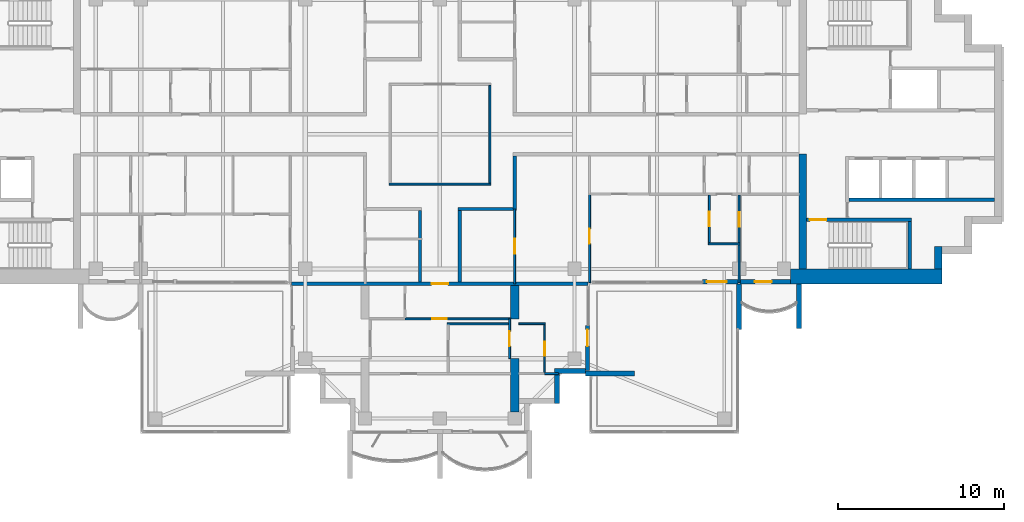
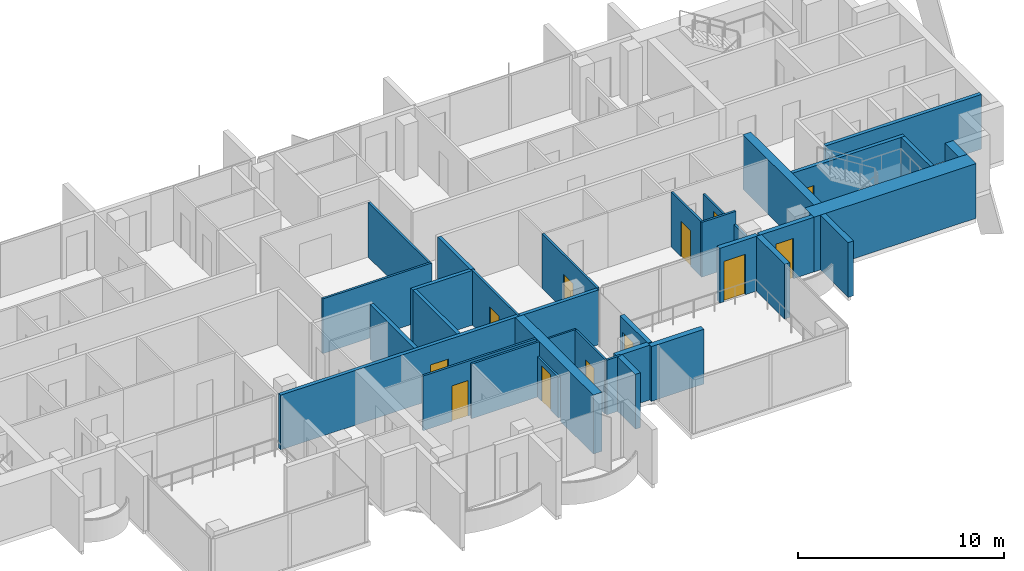
# One storey, part 9 of 16: 33 walls, 12 doors, 12 openings.
"""IFC4 building model written with IfcOpenShell, lengths in metres."""

from ifc_helpers import new_model, si_unit, direction, frame, frame_2d, origin, place, context, subcontext, project, spatial, polyline, rectangle, outline, extrude, material, layer, layer_set, material_profile, profile_set, type_object, element, fill, save


model = new_model("IFC4")

# Units and contexts
model_context = context("Model", 3, precision=1e-05, world=origin(), true_north=direction((0.0, 1.0)))
body_context = subcontext(model_context, "Body", "Model", "MODEL_VIEW")
ifc_project = project(units=[si_unit("LENGTHUNIT", "METRE"), si_unit("AREAUNIT", "SQUARE_METRE"), si_unit("VOLUMEUNIT", "CUBIC_METRE"), si_unit("PLANEANGLEUNIT", "RADIAN"), si_unit("MASSUNIT", "GRAM", prefix="KILO")], contexts=[model_context])

# Site, building, storey
site_placement = place(None, origin())
site = spatial("IfcSite", under=ifc_project, at=site_placement, CompositionType="ELEMENT")
building_placement = place(site_placement, origin())
building = spatial("IfcBuilding", under=site, at=building_placement, Name="Perihelion Cross Residences", CompositionType="ELEMENT")
storey_placement = place(building_placement, frame((0.0, 0.0, 253.5)))
storey = spatial("IfcBuildingStorey", under=building, at=storey_placement, Name="L64", CompositionType="ELEMENT", Elevation=253.5)

# Walls
ifc_material_1 = material(Name="Plasterboard partition")
ifc_layer_1 = layer(ifc_material_1, 0.199951171875)
ifc_layer_set_1 = layer_set([ifc_layer_1], Name="Apartment separation wall 200")
wall_type_1 = type_object("IfcWallType", Name="Apartment separation wall 200", PredefinedType="PARTITIONING", material=ifc_layer_set_1)
wall_1_placement = place(storey_placement, frame((4.5, -1.300048828125, 0.0), z_axis=(0.0, 0.0, 1.0), x_axis=(0.0, -1.0, 0.0)))
element("IfcWall", 1, at=wall_1_placement, inside=storey, type_object=wall_type_1, Name="Partition L64 W010", PredefinedType="PARTITIONING", context=body_context, shape_type="SweptSolid", body=[
    extrude(rectangle(XDim=3.199951171875, YDim=0.199951171875, at=frame_2d((1.60009765625, 0.0))), origin(), (0.0, 0.0, 1.0), 3.25),
])
wall_2_placement = place(storey_placement, frame((4.60009765625, -4.5, 0.0), z_axis=(0.0, 0.0, 1.0), x_axis=(-1.0, 0.0, 0.0)))
element("IfcWall", 2, at=wall_2_placement, inside=storey, type_object=wall_type_1, Name="Partition L64 W011", PredefinedType="PARTITIONING", context=body_context, shape_type="SweptSolid", body=[
    extrude(rectangle(XDim=3.5, YDim=0.199951171875, at=frame_2d((1.75, 0.0))), origin(), (0.0, 0.0, 1.0), 3.25),
])
for number, where, z_axis, x_axis, name in (
    (3, (1.199951171875, -4.60009765625, 0.0), (0.0, 0.0, 1.0), (0.0, -1.0, 0.0), "Partition L64 W012"),
    (4, (-1.199951171875, -8.89990234375, 0.0), (0.0, 0.0, 1.0), (0.0, 1.0, 0.0), "Partition L64 W019"),
):
    element("IfcWall", number, at=place(storey_placement, frame(where, z_axis=z_axis, x_axis=x_axis)), inside=storey, type_object=wall_type_1, Name=name, PredefinedType="PARTITIONING", context=body_context, shape_type="SweptSolid", body=[
        extrude(rectangle(XDim=4.2998046875, YDim=0.199951171875, at=frame_2d((2.14990234375, 0.0))), origin(), (0.0, 0.0, 1.0), 3.25),
    ])

# Wall, opening, door
wall_3_placement = place(storey_placement, frame((8.919921875, -9.0, 0.0), z_axis=(0.0, 0.0, 1.0), x_axis=(-1.0, 0.0, 0.0)))
wall_3 = element("IfcWall", 5, at=wall_3_placement, inside=storey, type_object=wall_type_1, Name="Partition L64 W021", PredefinedType="PARTITIONING", context=body_context, shape_type="SweptSolid", body=[
    extrude(rectangle(XDim=17.83984375, YDim=0.199951171875, at=frame_2d((8.919921875, 0.0))), origin(), (0.0, 0.0, 1.0), 3.25),
])
opening_1_placement = place(wall_3_placement, frame((8.419921875, 0.0, 0.0)))
opening_1 = element("IfcOpeningElement", 6, at=opening_1_placement, cuts=wall_3, Name="Opening L64.A34", PredefinedType="OPENING", context=body_context, shape_type="SweptSolid", body=[
    extrude(rectangle(XDim=1.0, YDim=2.10009765625, at=frame_2d((0.5, 1.050048828125))), frame((0.0, 0.10986328125, 0.0), z_axis=(0.0, -1.0, 0.0), x_axis=(1.0, 0.0, 0.0)), (0.0, 0.0, 1.0), 0.219970703125),
])
ifc_material_2 = material(Name="Timber door leaf", Category="wood")
door_type_1 = type_object("IfcDoorType", Name="Flat entrance door 1000 x 2100", OperationType="SINGLE_SWING_LEFT", PredefinedType="DOOR", material=ifc_material_2)
door_1_placement = place(opening_1_placement, origin())
door_1 = element("IfcDoor", 7, at=door_1_placement, inside=storey, type_object=door_type_1, Name="Door L64.A34", OperationType="SINGLE_SWING_RIGHT", OverallHeight=2.10009765625, OverallWidth=1.0, PredefinedType="DOOR", context=body_context, shape_type="SweptSolid", body=[
    extrude(rectangle(XDim=1.0, YDim=2.10009765625, at=frame_2d((0.5, 1.050048828125))), frame((0.0, 0.02490234375, 0.0), z_axis=(0.0, -1.0, 0.0), x_axis=(1.0, 0.0, 0.0)), (0.0, 0.0, 1.0), 0.050048828125),
])
fill(opening_1, door_1)

ifc_material_3 = material(Name="Concrete C30/37, bronze-clad", Category="concrete")
ifc_layer_2 = layer(ifc_material_3, 0.25)
ifc_layer_set_2 = layer_set([ifc_layer_2], Name="Bronze-clad pier wall 250")
wall_type_2 = type_object("IfcWallType", Name="Bronze-clad pier wall 250", PredefinedType="SOLIDWALL", material=ifc_layer_set_2)
wall_4_placement = place(storey_placement, frame((8.875, -14.199951171875, 0.0), z_axis=(0.0, 0.0, 1.0), x_axis=(0.0, 1.0, 0.0)))
wall_4 = element("IfcWall", 8, at=wall_4_placement, inside=storey, type_object=wall_type_2, Name="Wall FW1 L64 south side east bay 1 pier", PredefinedType="SOLIDWALL", context=body_context, shape_type="SweptSolid", body=[
    extrude(rectangle(XDim=2.699951171875, YDim=0.25, at=frame_2d((1.35009765625, 0.0))), origin(), (0.0, 0.0, 1.0), 3.25),
])
opening_2_placement = place(wall_4_placement, frame((1.449951171875, 0.0, 0.0)))
opening_2 = element("IfcOpeningElement", 9, at=opening_2_placement, cuts=wall_4, Name="Opening L64.E12", PredefinedType="OPENING", context=body_context, shape_type="SweptSolid", body=[
    extrude(rectangle(XDim=1.0, YDim=2.39990234375, at=frame_2d((0.5, 1.199951171875))), frame((0.0, 0.135009765625, 0.0), z_axis=(0.0, -1.0, 0.0), x_axis=(1.0, 0.0, 0.0)), (0.0, 0.0, 1.0), 0.27001953125),
])
ifc_material_4 = material(Name="Bronze anodised aluminium, glazed", Category="aluminium")
door_type_2 = type_object("IfcDoorType", Name="Balcony door 1000 x 2400", OperationType="NOTDEFINED", PredefinedType="DOOR", material=ifc_material_4)
door_2_placement = place(opening_2_placement, origin())
door_2 = element("IfcDoor", 10, at=door_2_placement, inside=storey, type_object=door_type_2, Name="Door L64.E12 south side east bay 1", OperationType="SINGLE_SWING_RIGHT", OverallHeight=2.39990234375, OverallWidth=1.0, PredefinedType="DOOR", context=body_context, shape_type="SweptSolid", body=[
    extrude(rectangle(XDim=1.0, YDim=2.39990234375, at=frame_2d((0.5, 1.199951171875))), frame((0.0, 0.02490234375, 0.0), z_axis=(0.0, -1.0, 0.0), x_axis=(1.0, 0.0, 0.0)), (0.0, 0.0, 1.0), 0.050048828125),
])
fill(opening_2, door_2)

wall_5_placement = place(storey_placement, frame((15.800048828125, -8.875, 0.0), z_axis=(0.0, 0.0, 1.0), x_axis=(1.0, 0.0, 0.0)))
wall_5 = element("IfcWall", 11, at=wall_5_placement, inside=storey, type_object=wall_type_2, Name="Wall FW1 L64 east side south bay 1 pier", PredefinedType="SOLIDWALL", context=body_context, shape_type="SweptSolid", body=[
    extrude(rectangle(XDim=2.139892578125, YDim=0.25, at=frame_2d((1.06982421875, 0.0))), origin(), (0.0, 0.0, 1.0), 3.25),
])
opening_3_placement = place(wall_5_placement, frame((0.25, 0.0, 0.0)))
opening_3 = element("IfcOpeningElement", 12, at=opening_3_placement, cuts=wall_5, Name="Opening L64.E13", PredefinedType="OPENING", context=body_context, shape_type="SweptSolid", body=[
    extrude(rectangle(XDim=1.199951171875, YDim=2.39990234375, at=frame_2d((0.60009765625, 1.199951171875))), frame((0.0, 0.135009765625, 0.0), z_axis=(0.0, -1.0, 0.0), x_axis=(1.0, 0.0, 0.0)), (0.0, 0.0, 1.0), 0.27001953125),
])
ifc_material_5 = material(Name="Bronze anodised aluminium, glazed", Category="aluminium")
door_type_3 = type_object("IfcDoorType", Name="Balcony door 1200 x 2400", OperationType="NOTDEFINED", PredefinedType="DOOR", material=ifc_material_5)
door_3_placement = place(opening_3_placement, origin())
door_3 = element("IfcDoor", 13, at=door_3_placement, inside=storey, type_object=door_type_3, Name="Door L64.E13 east side south bay 1", OperationType="SINGLE_SWING_LEFT", OverallHeight=2.39990234375, OverallWidth=1.199951171875, PredefinedType="DOOR", context=body_context, shape_type="SweptSolid", body=[
    extrude(rectangle(XDim=1.199951171875, YDim=2.39990234375, at=frame_2d((0.60009765625, 1.199951171875))), frame((0.0, 0.02490234375, 0.0), z_axis=(0.0, -1.0, 0.0), x_axis=(1.0, 0.0, 0.0)), (0.0, 0.0, 1.0), 0.050048828125),
])
fill(opening_3, door_3)

wall_6_placement = place(storey_placement, frame((18.06005859375, -8.875, 0.0), z_axis=(0.0, 0.0, 1.0), x_axis=(1.0, 0.0, 0.0)))
wall_6 = element("IfcWall", 14, at=wall_6_placement, inside=storey, type_object=wall_type_2, Name="Wall FW1 L64 east side south bay 2 pier", PredefinedType="SOLIDWALL", context=body_context, shape_type="SweptSolid", body=[
    extrude(rectangle(XDim=3.0400390625, YDim=0.25, at=frame_2d((1.52001953125, 0.0))), origin(), (0.0, 0.0, 1.0), 3.25),
])
opening_4_placement = place(wall_6_placement, frame((0.889892578125, 0.0, 0.0)))
opening_4 = element("IfcOpeningElement", 15, at=opening_4_placement, cuts=wall_6, Name="Opening L64.E14", PredefinedType="OPENING", context=body_context, shape_type="SweptSolid", body=[
    extrude(rectangle(XDim=1.0, YDim=2.39990234375, at=frame_2d((0.5, 1.199951171875))), frame((0.0, 0.135009765625, 0.0), z_axis=(0.0, -1.0, 0.0), x_axis=(1.0, 0.0, 0.0)), (0.0, 0.0, 1.0), 0.27001953125),
])
door_4_placement = place(opening_4_placement, origin())
door_4 = element("IfcDoor", 16, at=door_4_placement, inside=storey, type_object=door_type_2, Name="Door L64.E14 east side south bay 2", OperationType="SINGLE_SWING_RIGHT", OverallHeight=2.39990234375, OverallWidth=1.0, PredefinedType="DOOR", context=body_context, shape_type="SweptSolid", body=[
    extrude(rectangle(XDim=1.0, YDim=2.39990234375, at=frame_2d((0.5, 1.199951171875))), frame((0.0, 0.02490234375, 0.0), z_axis=(0.0, -1.0, 0.0), x_axis=(1.0, 0.0, 0.0)), (0.0, 0.0, 1.0), 0.050048828125),
])
fill(opening_4, door_4)

# Walls
ifc_material_6 = material(Name="Concrete C30/37, bronze-clad", Category="concrete")
ifc_layer_3 = layer(ifc_material_6, 0.300048828125)
ifc_layer_set_3 = layer_set([ifc_layer_3], Name="Bronze-clad serration wall 300")
wall_type_3 = type_object("IfcWallType", Name="Bronze-clad serration wall 300", PredefinedType="SOLIDWALL", material=ifc_layer_set_3)
wall_7_placement = place(storey_placement, frame((7.050048828125, -16.199951171875, 0.0), z_axis=(0.0, 0.0, 1.0), x_axis=(0.0, 1.0, 0.0)))
element("IfcWall", 17, at=wall_7_placement, inside=storey, type_object=wall_type_3, Name="Wall SR1 L64 south corner south-east 3", PredefinedType="SOLIDWALL", context=body_context, shape_type="SweptSolid", body=[
    extrude(rectangle(XDim=1.800048828125, YDim=0.300048828125, at=frame_2d((0.89990234375, 0.0))), origin(), (0.0, 0.0, 1.0), 3.25),
])
wall_8_placement = place(storey_placement, frame((6.89990234375, -14.25, 0.0), z_axis=(0.0, 0.0, 1.0), x_axis=(1.0, 0.0, 0.0)))
element("IfcWall", 18, at=wall_8_placement, inside=storey, type_object=wall_type_3, Name="Wall SR1 L64 south corner south-east 4", PredefinedType="SOLIDWALL", context=body_context, shape_type="SweptSolid", body=[
    extrude(rectangle(XDim=1.85009765625, YDim=0.300048828125, at=frame_2d((0.925048828125, 0.0))), origin(), (0.0, 0.0, 1.0), 3.25),
])
ifc_material_7 = material(Name="Concrete C60/75", Category="concrete")
ifc_layer_4 = layer(ifc_material_7, 0.449951171875)
ifc_layer_set_4 = layer_set([ifc_layer_4], Name="Core wall, inner 450")
wall_type_4 = type_object("IfcWallType", Name="Core wall, inner 450", PredefinedType="SHEAR", material=ifc_layer_set_4)
wall_9_placement = place(storey_placement, frame((21.824951171875, -8.10009765625, 0.0), z_axis=(0.0, 0.0, 1.0), x_axis=(0.0, 1.0, 0.0)))
element("IfcWall", 19, at=wall_9_placement, inside=storey, type_object=wall_type_4, Name="East core core wall, inner", PredefinedType="SHEAR", context=body_context, shape_type="SweptSolid", body=[
    extrude(rectangle(XDim=6.900146484375, YDim=0.449951171875, at=frame_2d((3.4501953125, 0.0))), origin(), (0.0, 0.0, 1.0), 3.25),
])
ifc_material_8 = material(Name="Concrete C60/75", Category="concrete")
ifc_layer_5 = layer(ifc_material_8, 0.449951171875)
ifc_layer_set_5 = layer_set([ifc_layer_5], Name="Core wall, outer 450")
wall_type_5 = type_object("IfcWallType", Name="Core wall, outer 450", PredefinedType="SHEAR", material=ifc_layer_set_5)
wall_10_placement = place(storey_placement, frame((29.97509765625, -8.10009765625, 0.0), z_axis=(0.0, 0.0, 1.0), x_axis=(0.0, 1.0, 0.0)))
element("IfcWall", 20, at=wall_10_placement, inside=storey, type_object=wall_type_5, Name="East core core wall, outer", PredefinedType="SHEAR", context=body_context, shape_type="SweptSolid", body=[
    extrude(rectangle(XDim=1.35009765625, YDim=0.449951171875, at=frame_2d((0.675048828125, 0.0))), origin(), (0.0, 0.0, 1.0), 3.25),
])
ifc_material_9 = material(Name="Concrete C60/75", Category="concrete")
ifc_layer_6 = layer(ifc_material_9, 0.89990234375)
ifc_layer_set_6 = layer_set([ifc_layer_6], Name="Core wall, outer 900")
wall_type_6 = type_object("IfcWallType", Name="Core wall, outer 900", PredefinedType="SHEAR", material=ifc_layer_set_6)
wall_11_placement = place(storey_placement, frame((21.10009765625, -8.550048828125, 0.0), z_axis=(0.0, 0.0, 1.0), x_axis=(1.0, 0.0, 0.0)))
element("IfcWall", 21, at=wall_11_placement, inside=storey, type_object=wall_type_6, Name="East core core wall, outer", PredefinedType="SHEAR", context=body_context, shape_type="SweptSolid", body=[
    extrude(rectangle(XDim=9.099853515625, YDim=0.89990234375, at=frame_2d((4.5498046875, 0.0))), origin(), (0.0, 0.0, 1.0), 3.25),
])

# Wall, opening, door
ifc_material_10 = material(Name="Plasterboard partition")
ifc_layer_7 = layer(ifc_material_10, 0.1201171875)
ifc_layer_set_7 = layer_set([ifc_layer_7], Name="Infill panel 120")
wall_type_7 = type_object("IfcWallType", Name="Infill panel 120", PredefinedType="PARTITIONING", material=ifc_layer_set_7)
wall_12_placement = place(storey_placement, frame((4.18994140625, -11.10009765625, 0.0), z_axis=(0.0, 0.0, 1.0), x_axis=(0.0, -1.0, 0.0)))
wall_12 = element("IfcWall", 22, at=wall_12_placement, inside=storey, type_object=wall_type_7, Name="Partition L64 WI01", PredefinedType="PARTITIONING", context=body_context, shape_type="SweptSolid", body=[
    extrude(rectangle(XDim=2.39990234375, YDim=0.1201171875, at=frame_2d((1.199951171875, 0.0))), origin(), (0.0, 0.0, 1.0), 2.39990234375),
])
opening_5_placement = place(wall_12_placement, frame((0.75, 0.0, 0.0)))
opening_5 = element("IfcOpeningElement", 23, at=opening_5_placement, cuts=wall_12, Name="Opening L64.A44", PredefinedType="OPENING", context=body_context, shape_type="SweptSolid", body=[
    extrude(rectangle(XDim=0.89990234375, YDim=2.10009765625, at=frame_2d((0.449951171875, 1.050048828125))), frame((0.0, 0.070068359375, 0.0), z_axis=(0.0, -1.0, 0.0), x_axis=(1.0, 0.0, 0.0)), (0.0, 0.0, 1.0), 0.14013671875),
])
ifc_material_11 = material(Name="Timber door leaf", Category="wood")
door_type_4 = type_object("IfcDoorType", Name="Interior room door 900 x 2100", OperationType="SINGLE_SWING_LEFT", PredefinedType="DOOR", material=ifc_material_11)
door_5_placement = place(opening_5_placement, origin())
door_5 = element("IfcDoor", 24, at=door_5_placement, inside=storey, type_object=door_type_4, Name="Door L64.A44", OperationType="SINGLE_SWING_LEFT", OverallHeight=2.10009765625, OverallWidth=0.89990234375, PredefinedType="DOOR", context=body_context, shape_type="SweptSolid", body=[
    extrude(rectangle(XDim=0.89990234375, YDim=2.10009765625, at=frame_2d((0.449951171875, 1.050048828125))), frame((0.0, 0.02490234375, 0.0), z_axis=(0.0, -1.0, 0.0), x_axis=(1.0, 0.0, 0.0)), (0.0, 0.0, 1.0), 0.050048828125),
])
fill(opening_5, door_5)

# Walls
ifc_material_12 = material(Name="Plasterboard partition")
ifc_layer_8 = layer(ifc_material_12, 0.1201171875)
ifc_layer_set_8 = layer_set([ifc_layer_8], Name="Partition wall 120")
wall_type_8 = type_object("IfcWallType", Name="Partition wall 120", PredefinedType="PARTITIONING", material=ifc_layer_set_8)
wall_13_placement = place(storey_placement, frame((-3.06005859375, -3.0, 0.0), z_axis=(0.0, 0.0, 1.0), x_axis=(1.0, 0.0, 0.0)))
element("IfcWall", 25, at=wall_13_placement, inside=storey, type_object=wall_type_8, Name="Partition L64 W001", PredefinedType="PARTITIONING", context=body_context, shape_type="SweptSolid", body=[
    extrude(rectangle(XDim=6.1201171875, YDim=0.1201171875, at=frame_2d((3.06005859375, 0.0))), origin(), (0.0, 0.0, 1.0), 3.25),
])
wall_14_placement = place(storey_placement, frame((3.0, -2.93994140625, 0.0), z_axis=(0.0, 0.0, 1.0), x_axis=(0.0, 1.0, 0.0)))
element("IfcWall", 26, at=wall_14_placement, inside=storey, type_object=wall_type_8, Name="Partition L64 W002", PredefinedType="PARTITIONING", context=body_context, shape_type="SweptSolid", body=[
    extrude(rectangle(XDim=5.8798828125, YDim=0.1201171875, at=frame_2d((2.93994140625, 0.0))), origin(), (0.0, 0.0, 1.0), 3.25),
])

# Wall, opening, door
wall_15_placement = place(storey_placement, frame((16.199951171875, -3.659912109375, 0.0), z_axis=(0.0, 0.0, 1.0), x_axis=(0.0, -1.0, 0.0)))
wall_15 = element("IfcWall", 27, at=wall_15_placement, inside=storey, type_object=wall_type_8, Name="Partition L64 W038", PredefinedType="PARTITIONING", context=body_context, shape_type="SweptSolid", body=[
    extrude(rectangle(XDim=2.880126953125, YDim=0.1201171875, at=frame_2d((1.43994140625, 0.0))), origin(), (0.0, 0.0, 1.0), 3.25),
])
opening_6_placement = place(wall_15_placement, frame((0.989990234375, 0.0, 0.0)))
opening_6 = element("IfcOpeningElement", 28, at=opening_6_placement, cuts=wall_15, Name="Opening L64.A14", PredefinedType="OPENING", context=body_context, shape_type="SweptSolid", body=[
    extrude(rectangle(XDim=0.89990234375, YDim=2.10009765625, at=frame_2d((0.449951171875, 1.050048828125))), frame((0.0, 0.070068359375, 0.0), z_axis=(0.0, -1.0, 0.0), x_axis=(1.0, 0.0, 0.0)), (0.0, 0.0, 1.0), 0.14013671875),
])
door_6_placement = place(opening_6_placement, origin())
door_6 = element("IfcDoor", 29, at=door_6_placement, inside=storey, type_object=door_type_4, Name="Door L64.A14", OperationType="SINGLE_SWING_LEFT", OverallHeight=2.10009765625, OverallWidth=0.89990234375, PredefinedType="DOOR", context=body_context, shape_type="SweptSolid", body=[
    extrude(rectangle(XDim=0.89990234375, YDim=2.10009765625, at=frame_2d((0.449951171875, 1.050048828125))), frame((0.0, 0.02490234375, 0.0), z_axis=(0.0, -1.0, 0.0), x_axis=(1.0, 0.0, 0.0)), (0.0, 0.0, 1.0), 0.050048828125),
])
fill(opening_6, door_6)

# Wall
wall_16_placement = place(storey_placement, frame((16.139892578125, -6.60009765625, 0.0), z_axis=(0.0, 0.0, 1.0), x_axis=(1.0, 0.0, 0.0)))
element("IfcWall", 30, at=wall_16_placement, inside=storey, type_object=wall_type_8, Name="Partition L64 W039", PredefinedType="PARTITIONING", context=body_context, shape_type="SweptSolid", body=[
    extrude(rectangle(XDim=1.920166015625, YDim=0.1201171875, at=frame_2d((0.9599609375, 0.0))), origin(), (0.0, 0.0, 1.0), 3.25),
])

# Wall, opening, door
wall_17_placement = place(storey_placement, frame((18.0, -3.659912109375, 0.0), z_axis=(0.0, 0.0, 1.0), x_axis=(0.0, -1.0, 0.0)))
wall_17 = element("IfcWall", 31, at=wall_17_placement, inside=storey, type_object=wall_type_8, Name="Partition L64 W040", PredefinedType="PARTITIONING", context=body_context, shape_type="SweptSolid", body=[
    extrude(rectangle(XDim=5.260009765625, YDim=0.1201171875, at=frame_2d((2.6298828125, 0.0))), origin(), (0.0, 0.0, 1.0), 2.49609375),
])
opening_7_placement = place(wall_17_placement, frame((1.02001953125, 0.0, 0.0)))
opening_7 = element("IfcOpeningElement", 32, at=opening_7_placement, cuts=wall_17, Name="Opening L64.A16", PredefinedType="OPENING", context=body_context, shape_type="SweptSolid", body=[
    extrude(rectangle(XDim=0.89990234375, YDim=2.10009765625, at=frame_2d((0.449951171875, 1.050048828125))), frame((0.0, 0.070068359375, 0.0), z_axis=(0.0, -1.0, 0.0), x_axis=(1.0, 0.0, 0.0)), (0.0, 0.0, 1.0), 0.14013671875),
])
door_7_placement = place(opening_7_placement, origin())
door_7 = element("IfcDoor", 33, at=door_7_placement, inside=storey, type_object=door_type_4, Name="Door L64.A16", OperationType="SINGLE_SWING_RIGHT", OverallHeight=2.10009765625, OverallWidth=0.89990234375, PredefinedType="DOOR", context=body_context, shape_type="SweptSolid", body=[
    extrude(rectangle(XDim=0.89990234375, YDim=2.10009765625, at=frame_2d((0.449951171875, 1.050048828125))), frame((0.0, 0.02490234375, 0.0), z_axis=(0.0, -1.0, 0.0), x_axis=(1.0, 0.0, 0.0)), (0.0, 0.0, 1.0), 0.050048828125),
])
fill(opening_7, door_7)

wall_18_placement = place(storey_placement, frame((9.0, -8.919921875, 0.0), z_axis=(0.0, 0.0, 1.0), x_axis=(0.0, 1.0, 0.0)))
wall_18 = element("IfcWall", 34, at=wall_18_placement, inside=storey, type_object=wall_type_8, Name="Partition L64 W041", PredefinedType="PARTITIONING", context=body_context, shape_type="SweptSolid", body=[
    extrude(rectangle(XDim=5.31982421875, YDim=0.1201171875, at=frame_2d((2.659912109375, 0.0))), origin(), (0.0, 0.0, 1.0), 3.25),
])
opening_8_placement = place(wall_18_placement, frame((2.320068359375, 0.0, 0.0)))
opening_8 = element("IfcOpeningElement", 35, at=opening_8_placement, cuts=wall_18, Name="Opening L64.A13", PredefinedType="OPENING", context=body_context, shape_type="SweptSolid", body=[
    extrude(rectangle(XDim=0.89990234375, YDim=2.10009765625, at=frame_2d((0.449951171875, 1.050048828125))), frame((0.0, 0.070068359375, 0.0), z_axis=(0.0, -1.0, 0.0), x_axis=(1.0, 0.0, 0.0)), (0.0, 0.0, 1.0), 0.14013671875),
])
door_8_placement = place(opening_8_placement, origin())
door_8 = element("IfcDoor", 36, at=door_8_placement, inside=storey, type_object=door_type_4, Name="Door L64.A13", OperationType="SINGLE_SWING_LEFT", OverallHeight=2.10009765625, OverallWidth=0.89990234375, PredefinedType="DOOR", context=body_context, shape_type="SweptSolid", body=[
    extrude(rectangle(XDim=0.89990234375, YDim=2.10009765625, at=frame_2d((0.449951171875, 1.050048828125))), frame((0.0, 0.02490234375, 0.0), z_axis=(0.0, -1.0, 0.0), x_axis=(1.0, 0.0, 0.0)), (0.0, 0.0, 1.0), 0.050048828125),
])
fill(opening_8, door_8)

wall_19_placement = place(storey_placement, frame((4.5, -9.0, 0.0), z_axis=(0.0, 0.0, 1.0), x_axis=(0.0, 1.0, 0.0)))
wall_19 = element("IfcWall", 37, at=wall_19_placement, inside=storey, type_object=wall_type_8, Name="Partition L64 W042", PredefinedType="PARTITIONING", context=body_context, shape_type="SweptSolid", body=[
    extrude(rectangle(XDim=4.5, YDim=0.1201171875, at=frame_2d((2.25, 0.0))), origin(), (0.0, 0.0, 1.0), 3.25),
])
opening_9_placement = place(wall_19_placement, frame((1.800048828125, 0.0, 0.0)))
opening_9 = element("IfcOpeningElement", 38, at=opening_9_placement, cuts=wall_19, Name="Opening L64.A15", PredefinedType="OPENING", context=body_context, shape_type="SweptSolid", body=[
    extrude(rectangle(XDim=0.89990234375, YDim=2.10009765625, at=frame_2d((0.449951171875, 1.050048828125))), frame((0.0, 0.070068359375, 0.0), z_axis=(0.0, -1.0, 0.0), x_axis=(1.0, 0.0, 0.0)), (0.0, 0.0, 1.0), 0.14013671875),
])
door_9_placement = place(opening_9_placement, origin())
door_9 = element("IfcDoor", 39, at=door_9_placement, inside=storey, type_object=door_type_4, Name="Door L64.A15", OperationType="SINGLE_SWING_RIGHT", OverallHeight=2.10009765625, OverallWidth=0.89990234375, PredefinedType="DOOR", context=body_context, shape_type="SweptSolid", body=[
    extrude(rectangle(XDim=0.89990234375, YDim=2.10009765625, at=frame_2d((0.449951171875, 1.050048828125))), frame((0.0, 0.02490234375, 0.0), z_axis=(0.0, -1.0, 0.0), x_axis=(1.0, 0.0, 0.0)), (0.0, 0.0, 1.0), 0.050048828125),
])
fill(opening_9, door_9)

wall_20_placement = place(storey_placement, frame((4.25, -11.10009765625, 0.0), z_axis=(0.0, 0.0, 1.0), x_axis=(-1.0, 0.0, 0.0)))
wall_20 = element("IfcWall", 40, at=wall_20_placement, inside=storey, type_object=wall_type_8, Name="Partition L64 W066", PredefinedType="PARTITIONING", context=body_context, shape_type="SweptSolid", body=[
    extrude(rectangle(XDim=6.35009765625, YDim=0.1201171875, at=frame_2d((3.175048828125, 0.0))), origin(), (0.0, 0.0, 1.0), 3.25),
])
opening_10_placement = place(wall_20_placement, frame((3.824951171875, 0.0, 0.0)))
opening_10 = element("IfcOpeningElement", 41, at=opening_10_placement, cuts=wall_20, Name="Opening L64.A36", PredefinedType="OPENING", context=body_context, shape_type="SweptSolid", body=[
    extrude(rectangle(XDim=0.89990234375, YDim=2.10009765625, at=frame_2d((0.449951171875, 1.050048828125))), frame((0.0, 0.070068359375, 0.0), z_axis=(0.0, -1.0, 0.0), x_axis=(1.0, 0.0, 0.0)), (0.0, 0.0, 1.0), 0.14013671875),
])
door_10_placement = place(opening_10_placement, origin())
door_10 = element("IfcDoor", 42, at=door_10_placement, inside=storey, type_object=door_type_4, Name="Door L64.A36", OperationType="SINGLE_SWING_LEFT", OverallHeight=2.10009765625, OverallWidth=0.89990234375, PredefinedType="DOOR", context=body_context, shape_type="SweptSolid", body=[
    extrude(rectangle(XDim=0.89990234375, YDim=2.10009765625, at=frame_2d((0.449951171875, 1.050048828125))), frame((0.0, 0.02490234375, 0.0), z_axis=(0.0, -1.0, 0.0), x_axis=(1.0, 0.0, 0.0)), (0.0, 0.0, 1.0), 0.050048828125),
])
fill(opening_10, door_10)

# Walls
wall_21_placement = place(storey_placement, frame((4.25, -11.39990234375, 0.0), z_axis=(0.0, 0.0, 1.0), x_axis=(-1.0, 0.0, 0.0)))
element("IfcWall", 43, at=wall_21_placement, inside=storey, type_object=wall_type_8, Name="Partition L64 W068", PredefinedType="PARTITIONING", context=body_context, shape_type="SweptSolid", body=[
    extrude(rectangle(XDim=3.81005859375, YDim=0.1201171875, at=frame_2d((1.905029296875, 0.0))), origin(), (0.0, 0.0, 1.0), 3.25),
])
wall_22_placement = place(storey_placement, frame((7.1201171875, -14.39990234375, 0.0), z_axis=(0.0, 0.0, 1.0), x_axis=(-1.0, 0.0, 0.0)))
element("IfcWall", 44, at=wall_22_placement, inside=storey, type_object=wall_type_8, Name="Partition L64 W073", PredefinedType="PARTITIONING", context=body_context, shape_type="SweptSolid", body=[
    extrude(rectangle(XDim=0.820068359375, YDim=0.1201171875, at=frame_2d((0.41015625, 0.0))), origin(), (0.0, 0.0, 1.0), 3.25),
])
ifc_material_13 = material(Name="Precast concrete C50/60", Category="concrete")
ifc_layer_9 = layer(ifc_material_13, 0.300048828125)
ifc_layer_set_9 = layer_set([ifc_layer_9], Name="Precast concrete C50/60 blade wall 300")
wall_type_9 = type_object("IfcWallType", Name="Precast concrete C50/60 blade wall 300", PredefinedType="SOLIDWALL", material=ifc_layer_set_9)
wall_23_placement = place(storey_placement, frame((8.75, -14.39990234375, 0.0), z_axis=(0.0, 0.0, 1.0), x_axis=(1.0, 0.0, 0.0)))
element("IfcWall", 45, at=wall_23_placement, inside=storey, type_object=wall_type_9, Name="Wall BL1 L64 no. 15", PredefinedType="SOLIDWALL", context=body_context, shape_type="SweptSolid", body=[
    extrude(rectangle(XDim=2.949951171875, YDim=0.300048828125, at=frame_2d((1.47509765625, 0.0))), origin(), (0.0, 0.0, 1.0), 3.25),
])
wall_24_placement = place(storey_placement, frame((18.0, -9.0, 0.0), z_axis=(0.0, 0.0, 1.0), x_axis=(0.0, -1.0, 0.0)))
element("IfcWall", 46, at=wall_24_placement, inside=storey, type_object=wall_type_9, Name="Wall BL1 L64 no. 10", PredefinedType="SOLIDWALL", context=body_context, shape_type="SweptSolid", body=[
    extrude(rectangle(XDim=2.739990234375, YDim=0.300048828125, at=frame_2d((1.3701171875, 0.0))), origin(), (0.0, 0.0, 1.0), 3.25),
])
wall_25_placement = place(storey_placement, frame((21.60009765625, -9.0, 0.0), z_axis=(0.0, 0.0, 1.0), x_axis=(0.0, -1.0, 0.0)))
element("IfcWall", 47, at=wall_25_placement, inside=storey, type_object=wall_type_9, Name="Wall BL1 L64 no. 12", PredefinedType="SOLIDWALL", context=body_context, shape_type="SweptSolid", body=[
    extrude(rectangle(XDim=2.699951171875, YDim=0.300048828125, at=frame_2d((1.35009765625, 0.0))), origin(), (0.0, 0.0, 1.0), 3.25),
])
ifc_material_14 = material(Name="Concrete C50/60", Category="concrete")
ifc_layer_10 = layer(ifc_material_14, 0.199951171875)
ifc_layer_set_10 = layer_set([ifc_layer_10], Name="Shaft wall 200")
wall_type_10 = type_object("IfcWallType", Name="Shaft wall 200", PredefinedType="SOLIDWALL", material=ifc_layer_set_10)
wall_26_placement = place(storey_placement, frame((24.60009765625, -3.949951171875, 0.0), z_axis=(0.0, 0.0, 1.0), x_axis=(1.0, 0.0, 0.0)))
element("IfcWall", 48, at=wall_26_placement, inside=storey, type_object=wall_type_10, Name="East core shaft wall", PredefinedType="SOLIDWALL", context=body_context, shape_type="SweptSolid", body=[
    extrude(rectangle(XDim=8.75, YDim=0.199951171875, at=frame_2d((4.375, 0.0))), origin(), (0.0, 0.0, 1.0), 3.25),
])

# Wall, opening, door
ifc_material_15 = material(Name="Concrete C50/60", Category="concrete")
ifc_layer_11 = layer(ifc_material_15, 0.199951171875)
ifc_layer_set_11 = layer_set([ifc_layer_11], Name="Stair wall 200")
wall_type_11 = type_object("IfcWallType", Name="Stair wall 200", PredefinedType="SOLIDWALL", material=ifc_layer_set_11)
wall_27_placement = place(storey_placement, frame((22.050048828125, -5.14990234375, 0.0), z_axis=(0.0, 0.0, 1.0), x_axis=(1.0, 0.0, 0.0)))
wall_27 = element("IfcWall", 49, at=wall_27_placement, inside=storey, type_object=wall_type_11, Name="East core stair wall", PredefinedType="SOLIDWALL", context=body_context, shape_type="SweptSolid", body=[
    extrude(rectangle(XDim=6.300048828125, YDim=0.199951171875, at=frame_2d((3.14990234375, 0.0))), origin(), (0.0, 0.0, 1.0), 3.25),
])
opening_11_placement = place(wall_27_placement, frame((0.199951171875, 0.0, 0.0)))
opening_11 = element("IfcOpeningElement", 50, at=opening_11_placement, cuts=wall_27, Name="Opening L64.C05", PredefinedType="OPENING", context=body_context, shape_type="SweptSolid", body=[
    extrude(rectangle(XDim=1.0, YDim=2.10009765625, at=frame_2d((0.5, 1.050048828125))), frame((0.0, 0.10986328125, 0.0), z_axis=(0.0, -1.0, 0.0), x_axis=(1.0, 0.0, 0.0)), (0.0, 0.0, 1.0), 0.219970703125),
])
ifc_material_16 = material(Name="Steel, powder coated", Category="steel")
door_type_5 = type_object("IfcDoorType", Name="Stair door 1000", OperationType="SINGLE_SWING_LEFT", PredefinedType="DOOR", material=ifc_material_16)
door_11_placement = place(opening_11_placement, origin())
door_11 = element("IfcDoor", 51, at=door_11_placement, inside=storey, type_object=door_type_5, Name="East core stair door", OperationType="SINGLE_SWING_LEFT", OverallHeight=2.10009765625, OverallWidth=1.0, PredefinedType="DOOR", context=body_context, shape_type="SweptSolid", body=[
    extrude(rectangle(XDim=1.0, YDim=2.10009765625, at=frame_2d((0.5, 1.050048828125))), frame((0.0, 0.02490234375, 0.0), z_axis=(0.0, -1.0, 0.0), x_axis=(1.0, 0.0, 0.0)), (0.0, 0.0, 1.0), 0.050048828125),
])
fill(opening_11, door_11)

# Walls
wall_28_placement = place(storey_placement, frame((28.25, -8.10009765625, 0.0), z_axis=(0.0, 0.0, 1.0), x_axis=(0.0, 1.0, 0.0)))
element("IfcWall", 52, at=wall_28_placement, inside=storey, type_object=wall_type_11, Name="East core stair wall", PredefinedType="SOLIDWALL", context=body_context, shape_type="SweptSolid", body=[
    extrude(rectangle(XDim=2.85009765625, YDim=0.199951171875, at=frame_2d((1.425048828125, 0.0))), origin(), (0.0, 0.0, 1.0), 3.25),
])
ifc_material_17 = material(Name="Concrete C50/60", Category="concrete")
ifc_material_profile = material_profile(ifc_material_17, outline(polyline([(0.0, 0.0), (3.199951171875, 0.0), (3.199951171875, 2.64990234375), (5.60009765625, 2.64990234375), (5.60009765625, 0.0), (7.699951171875, 0.0), (7.699951171875, 3.5), (0.0, 3.5), (0.0, 0.0)])), Name="Tip spine wall")
ifc_profile_set = profile_set([ifc_material_profile], Name="Concrete C50/60")
wall_type_12 = type_object("IfcWallType", Name="Tip spine wall 500 with 1 door openings 7700 long 3500 high concrete C50/60", PredefinedType="SHEAR", material=ifc_profile_set)
wall_29_placement = place(storey_placement, frame((4.25, -16.699951171875, -0.25), z_axis=(1.0, 0.0, 0.0), x_axis=(0.0, 1.0, 0.0)))
element("IfcWall", 53, at=wall_29_placement, inside=storey, type_object=wall_type_12, Name="Shear wall SW45 L64 south east", PredefinedType="SHEAR", context=body_context, shape_type="SweptSolid", body=[
    extrude(outline(polyline([(0.0, 0.0), (3.199951171875, 0.0), (3.199951171875, 2.64990234375), (5.60009765625, 2.64990234375), (5.60009765625, 0.0), (7.699951171875, 0.0), (7.699951171875, 3.5), (0.0, 3.5), (0.0, 0.0)])), origin(), (0.0, 0.0, 1.0), 0.5),
])

# Wall, opening, door
ifc_material_18 = material(Name="Plasterboard partition")
ifc_layer_12 = layer(ifc_material_18, 0.10009765625)
ifc_layer_set_12 = layer_set([ifc_layer_12], Name="Wet room wall 100")
wall_type_13 = type_object("IfcWallType", Name="Wet room wall 100", PredefinedType="PARTITIONING", material=ifc_layer_set_12)
wall_30_placement = place(storey_placement, frame((6.300048828125, -14.340087890625, 0.0), z_axis=(0.0, 0.0, 1.0), x_axis=(0.0, 1.0, 0.0)))
wall_30 = element("IfcWall", 54, at=wall_30_placement, inside=storey, type_object=wall_type_13, Name="Partition L64 W071", PredefinedType="PARTITIONING", context=body_context, shape_type="SweptSolid", body=[
    extrude(rectangle(XDim=2.89013671875, YDim=0.10009765625, at=frame_2d((1.445068359375, 0.0))), origin(), (0.0, 0.0, 1.0), 3.25),
])
opening_12_placement = place(wall_30_placement, frame((1.02001953125, 0.0, 0.0)))
opening_12 = element("IfcOpeningElement", 55, at=opening_12_placement, cuts=wall_30, Name="Opening L64.A39", PredefinedType="OPENING", context=body_context, shape_type="SweptSolid", body=[
    extrude(rectangle(XDim=0.85009765625, YDim=2.10009765625, at=frame_2d((0.425048828125, 1.050048828125))), frame((0.0, 0.06005859375, 0.0), z_axis=(0.0, -1.0, 0.0), x_axis=(1.0, 0.0, 0.0)), (0.0, 0.0, 1.0), 0.1201171875),
])
ifc_material_19 = material(Name="Timber door leaf", Category="wood")
door_type_6 = type_object("IfcDoorType", Name="Interior bathroom door 850 x 2100", OperationType="SINGLE_SWING_LEFT", PredefinedType="DOOR", material=ifc_material_19)
door_12_placement = place(opening_12_placement, origin())
door_12 = element("IfcDoor", 56, at=door_12_placement, inside=storey, type_object=door_type_6, Name="Door L64.A39", OperationType="SINGLE_SWING_LEFT", OverallHeight=2.10009765625, OverallWidth=0.85009765625, PredefinedType="DOOR", context=body_context, shape_type="SweptSolid", body=[
    extrude(rectangle(XDim=0.85009765625, YDim=2.10009765625, at=frame_2d((0.425048828125, 1.050048828125))), frame((0.0, 0.02490234375, 0.0), z_axis=(0.0, -1.0, 0.0), x_axis=(1.0, 0.0, 0.0)), (0.0, 0.0, 1.0), 0.050048828125),
])
fill(opening_12, door_12)

# Wall
wall_31_placement = place(storey_placement, frame((6.35009765625, -11.39990234375, 0.0), z_axis=(0.0, 0.0, 1.0), x_axis=(-1.0, 0.0, 0.0)))
element("IfcWall", 57, at=wall_31_placement, inside=storey, type_object=wall_type_13, Name="Partition L64 W072", PredefinedType="PARTITIONING", context=body_context, shape_type="SweptSolid", body=[
    extrude(rectangle(XDim=1.60009765625, YDim=0.10009765625, at=frame_2d((0.800048828125, 0.0))), origin(), (0.0, 0.0, 1.0), 3.25),
])

save(model, "model.ifc")
